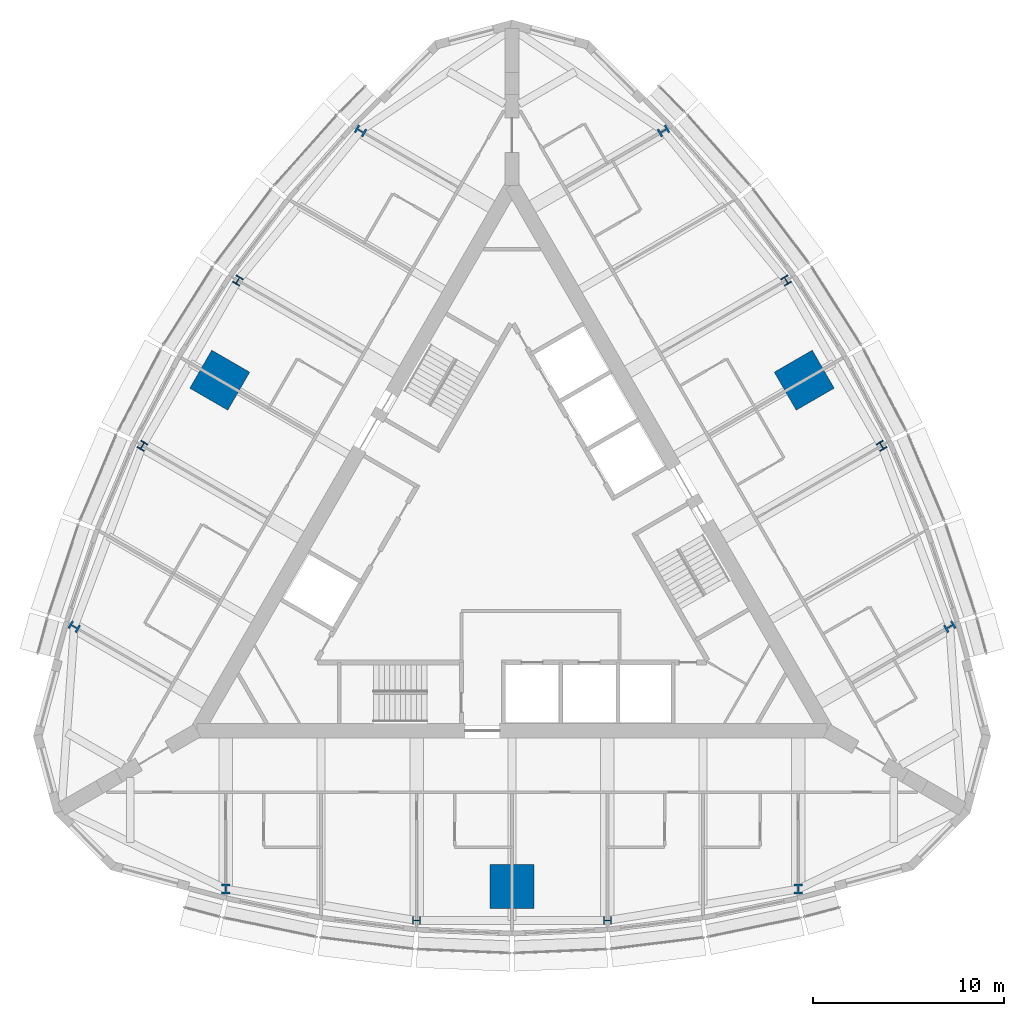
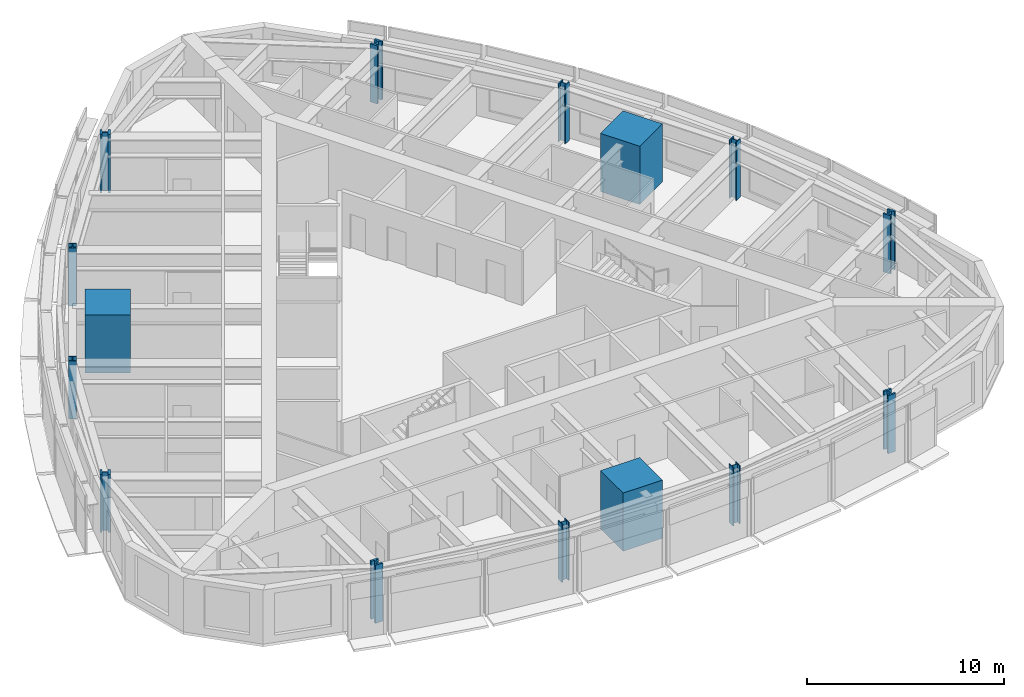
# One storey, part 1 of 15: 15 columns.
"""IFC4 building model written with IfcOpenShell, lengths in metres."""

from ifc_helpers import new_model, si_unit, direction, frame, origin, origin_2d, place, context, subcontext, project, spatial, rectangle, i_section, extrude, material, material_profile, profile_set, type_object, element, save


model = new_model("IFC4")

# Units and contexts
model_context = context("Model", 3, precision=1e-05, world=origin(), true_north=direction((0.0, 1.0)))
body_context = subcontext(model_context, "Body", "Model", "MODEL_VIEW")
ifc_project = project(units=[si_unit("LENGTHUNIT", "METRE"), si_unit("AREAUNIT", "SQUARE_METRE"), si_unit("VOLUMEUNIT", "CUBIC_METRE"), si_unit("PLANEANGLEUNIT", "RADIAN"), si_unit("MASSUNIT", "GRAM", prefix="KILO")], contexts=[model_context])

# Site, building, storey
site_placement = place(None, origin())
site = spatial("IfcSite", under=ifc_project, at=site_placement, CompositionType="ELEMENT")
building_placement = place(site_placement, origin())
building = spatial("IfcBuilding", under=site, at=building_placement, Name="Trikona Tower", CompositionType="ELEMENT")
storey_placement = place(building_placement, frame((0.0, 0.0, 229.699951171875)))
storey = spatial("IfcBuildingStorey", under=building, at=storey_placement, Name="L61", CompositionType="ELEMENT", Elevation=229.699951171875)

# Columns
ifc_material_1 = material(Name="Concrete f'c 10000 psi with encased steel section", Category="concrete")
ifc_material_profile_1 = material_profile(ifc_material_1, rectangle(XDim=2.300048828125, YDim=2.300048828125, at=origin_2d()), Name="MC2300")
ifc_profile_set_1 = profile_set([ifc_material_profile_1], Name="Concrete f'c 10000 psi with encased steel section")
column_type_1 = type_object("IfcColumnType", Name="Composite mega column 2300x2300", PredefinedType="COLUMN", material=ifc_profile_set_1)
for number, where, z_axis, x_axis, name in (
    (1, (0.0, -17.680419921875, 0.0), (0.0, 0.0, 1.0), (0.0, -1.0, 0.0), "Mega column MC1"),
    (2, (15.311767578125, 8.84033203125, 0.0), (0.0, 0.0, 1.0), (0.866025403784, 0.5, 0.0), "Mega column MC2"),
    (3, (-15.311767578125, 8.84033203125, 0.0), (0.0, 0.0, 1.0), (-0.866025403784, 0.5, 0.0), "Mega column MC3"),
):
    element("IfcColumn", number, at=place(storey_placement, frame(where, z_axis=z_axis, x_axis=x_axis)), inside=storey, type_object=column_type_1, Name=name, PredefinedType="COLUMN", context=body_context, shape_type="SweptSolid", body=[
        extrude(rectangle(XDim=2.300048828125, YDim=2.300048828125, at=origin_2d()), origin(), (0.0, 0.0, 1.0), 3.60009765625),
    ])
ifc_material_2 = material(Name="Steel ASTM A992 Grade 50", Category="steel")
ifc_material_profile_2 = material_profile(ifc_material_2, i_section(OverallWidth=0.411376953125, OverallDepth=0.434326171875, WebThickness=0.035888671875, FlangeThickness=0.057373046875, at=origin_2d()), Name="W14X311")
ifc_profile_set_2 = profile_set([ifc_material_profile_2], Name="Steel ASTM A992 Grade 50")
column_type_2 = type_object("IfcColumnType", Name="Steel column W14x311", PredefinedType="COLUMN", material=ifc_profile_set_2)
for number, where, z_axis, x_axis, name in (
    (4, (-5.0, -19.471923828125, 0.0), (0.0, 0.0, 1.0), (0.0, -1.0, 0.0), "Column F0m5"),
    (5, (5.0, -19.471923828125, 0.0), (0.0, 0.0, 1.0), (0.0, -1.0, 0.0), "Column F0p5"),
    (6, (19.36328125, 5.406005859375, 0.0), (0.0, 0.0, 1.0), (0.866025403784, 0.5, 0.0), "Column F1m5"),
    (7, (14.36328125, 14.066162109375, 0.0), (0.0, 0.0, 1.0), (0.866025403784, 0.5, 0.0), "Column F1p5"),
    (8, (-14.36328125, 14.066162109375, 0.0), (0.0, 0.0, 1.0), (-0.866025403784, 0.5, 0.0), "Column F2m5"),
    (9, (-19.36328125, 5.406005859375, 0.0), (0.0, 0.0, 1.0), (-0.866025403784, 0.5, 0.0), "Column F2p5"),
):
    element("IfcColumn", number, at=place(storey_placement, frame(where, z_axis=z_axis, x_axis=x_axis)), inside=storey, type_object=column_type_2, Name=name, PredefinedType="COLUMN", context=body_context, shape_type="SweptSolid", body=[
        extrude(i_section(OverallWidth=0.411376953125, OverallDepth=0.434326171875, WebThickness=0.035888671875, FlangeThickness=0.057373046875, at=origin_2d()), origin(), (0.0, 0.0, 1.0), 3.60009765625),
    ])
ifc_material_3 = material(Name="Steel ASTM A992 Grade 50", Category="steel")
ifc_material_profile_3 = material_profile(ifc_material_3, i_section(OverallWidth=0.44189453125, OverallDepth=0.53076171875, WebThickness=0.06591796875, FlangeThickness=0.105712890625, at=origin_2d()), Name="W14X605")
ifc_profile_set_3 = profile_set([ifc_material_profile_3], Name="Steel ASTM A992 Grade 50")
column_type_3 = type_object("IfcColumnType", Name="Steel column W14x605", PredefinedType="COLUMN", material=ifc_profile_set_3)
for number, where, z_axis, x_axis, name in (
    (10, (-15.0, -17.824951171875, 0.0), (0.0, 0.0, 1.0), (1.0, 0.0, 0.0), "Column F0m15"),
    (11, (15.0, -17.824951171875, 0.0), (0.0, 0.0, 1.0), (1.0, 0.0, 0.0), "Column F0p15"),
    (12, (22.936767578125, -4.077880859375, 0.0), (0.0, 0.0, 1.0), (-0.5, 0.866025403784, 0.0), "Column F1m15"),
    (13, (7.936767578125, 21.90283203125, 0.0), (0.0, 0.0, 1.0), (-0.5, 0.866025403784, 0.0), "Column F1p15"),
    (14, (-7.936767578125, 21.90283203125, 0.0), (0.0, 0.0, 1.0), (-0.5, -0.866025403784, 0.0), "Column F2m15"),
    (15, (-22.936767578125, -4.077880859375, 0.0), (0.0, 0.0, 1.0), (-0.5, -0.866025403784, 0.0), "Column F2p15"),
):
    element("IfcColumn", number, at=place(storey_placement, frame(where, z_axis=z_axis, x_axis=x_axis)), inside=storey, type_object=column_type_3, Name=name, PredefinedType="COLUMN", context=body_context, shape_type="SweptSolid", body=[
        extrude(i_section(OverallWidth=0.44189453125, OverallDepth=0.53076171875, WebThickness=0.06591796875, FlangeThickness=0.105712890625, at=origin_2d()), origin(), (0.0, 0.0, 1.0), 3.60009765625),
    ])

save(model, "model.ifc")
